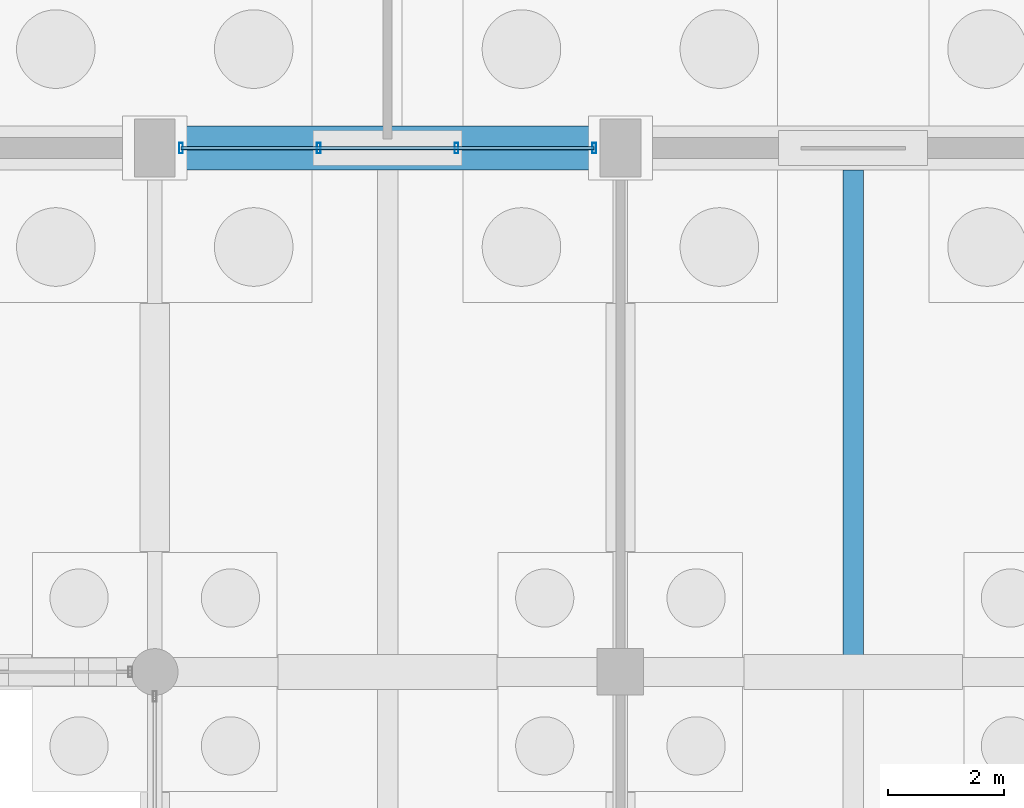
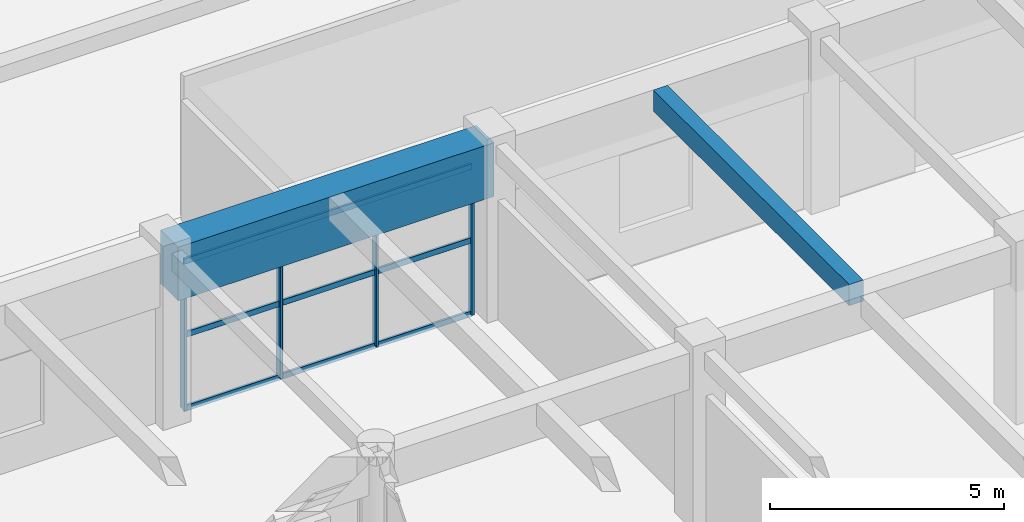
# One storey, part 81 of 147: 7 members, 2 beams, 1 element without a shape of its own.
"""IFC4 building model written with IfcOpenShell, lengths in metres."""

import ifcopenshell
import ifcopenshell.guid

model = None  # the IFC model being written
_history = None  # IfcOwnerHistory: only IFC2X3 demands one
_inside = {}  # id of a spatial element -> (the spatial element, [elements in it])
_under = {}  # id of a project, library or spatial element -> (it, [spatial elements below it])
_declared = {}  # id of a project -> (the project, [libraries it declares])
_typed = {}  # id of a type object -> (the type object, [elements of that type])
_made_of = {}  # id of a material, layer set ... -> (it, [elements and type objects made of it])


def new_model(schema):
    """Start an empty IFC model of exactly this schema.

    Asked for "IFC4X3", IfcOpenShell would pick the latest addendum, in which some entities
    have other attributes; the version numbers below select the first issue.
    IFC2X3 requires an IfcOwnerHistory on every rooted entity: one is made here for all.
    """
    global model, _history
    if schema == "IFC4X3":
        model = ifcopenshell.file(schema_version=(4, 3, 0, 0))
    else:
        model = ifcopenshell.file(schema=schema)
    _inside.clear()
    _under.clear()
    _declared.clear()
    _typed.clear()
    _made_of.clear()
    _history = None
    if model.schema == "IFC2X3":
        org = make("IfcOrganization", Name="unknown")
        user = make(
            "IfcPersonAndOrganization",
            ThePerson=make("IfcPerson", FamilyName="unknown"),
            TheOrganization=org,
        )
        app = make(
            "IfcApplication",
            ApplicationDeveloper=org,
            Version="unknown",
            ApplicationFullName="unknown",
            ApplicationIdentifier="unknown",
        )
        _history = make(
            "IfcOwnerHistory",
            OwningUser=user,
            OwningApplication=app,
            ChangeAction="ADDED",
            CreationDate=0,
        )
    return model


def make(cls, **values):
    """One entity of the class cls with the attributes given. An attribute that is None is left unset."""
    return model.create_entity(
        cls, **{name: value for name, value in values.items() if value is not None}
    )


def rooted(cls, **values):
    """An entity with a GlobalId (a new one), such as an element, a storey or a relation."""
    return make(cls, GlobalId=ifcopenshell.guid.new(), OwnerHistory=_history, **values)


def si_unit(unit_type, name, prefix=None):
    """IfcSIUnit, for example si_unit("LENGTHUNIT", "METRE", prefix="MILLI")."""
    return make("IfcSIUnit", UnitType=unit_type, Prefix=prefix, Name=name)


def assignment(units):
    """IfcUnitAssignment: the units of a project."""
    return None if units is None else make("IfcUnitAssignment", Units=units)


def point(xyz):
    """IfcCartesianPoint."""
    return None if xyz is None else make("IfcCartesianPoint", Coordinates=xyz)


def direction(xyz):
    """IfcDirection."""
    return None if xyz is None else make("IfcDirection", DirectionRatios=xyz)


def frame(location, z_axis=None, x_axis=None):
    """IfcAxis2Placement3D, a coordinate frame: its origin and axes. An axis left out is left unset."""
    return make(
        "IfcAxis2Placement3D",
        Location=point(location),
        Axis=direction(z_axis),
        RefDirection=direction(x_axis),
    )


def frame_2d(location, x_axis=None):
    """IfcAxis2Placement2D, a coordinate frame in the plane: its origin and x axis."""
    return make(
        "IfcAxis2Placement2D", Location=point(location), RefDirection=direction(x_axis)
    )


def origin():
    """The frame at (0, 0, 0) with its axes left unset."""
    return frame((0.0, 0.0, 0.0))


def origin_2d():
    """The frame at (0, 0) in the plane with its x axis left unset."""
    return frame_2d((0.0, 0.0))


def place(relative_to, where):
    """IfcLocalPlacement: puts the frame where relative to a parent placement (None: the world)."""
    return make(
        "IfcLocalPlacement", PlacementRelTo=relative_to, RelativePlacement=where
    )


def context(
    kind, dimensions, precision=None, world=None, true_north=None, identifier=None
):
    """IfcGeometricRepresentationContext, for example the 3D "Model" context."""
    return make(
        "IfcGeometricRepresentationContext",
        ContextIdentifier=identifier,
        ContextType=kind,
        CoordinateSpaceDimension=dimensions,
        Precision=precision,
        WorldCoordinateSystem=world,
        TrueNorth=true_north,
    )


def subcontext(parent, identifier, kind, view, scale=None):
    """IfcGeometricRepresentationSubContext, for example "Body" below "Model"."""
    return make(
        "IfcGeometricRepresentationSubContext",
        ContextIdentifier=identifier,
        ContextType=kind,
        ParentContext=parent,
        TargetScale=scale,
        TargetView=view,
    )


def project(units=None, contexts=None):
    """IfcProject with its units and contexts."""
    return rooted(
        "IfcProject",
        Name="project",
        RepresentationContexts=contexts,
        UnitsInContext=assignment(units),
    )


def spatial(cls, under=None, at=None, **own):
    """A site, building, storey or space (cls), placed at a placement, below another one or the project."""
    s = rooted(cls, ObjectPlacement=at, **own)
    if under is not None:
        _under.setdefault(under.id(), (under, []))[1].append(s)
    return s


def profile(cls, at=None, kind="AREA", **sizes):
    """A parametric profile (cls). Its sizes go by their IFC names, for example OverallWidth=200.0."""
    return make(cls, ProfileType=kind, Position=at, **sizes)


def rectangle(**sizes):
    """IfcRectangleProfileDef."""
    return profile("IfcRectangleProfileDef", **sizes)


def hollow_rectangle(**sizes):
    """IfcRectangleHollowProfileDef."""
    return profile("IfcRectangleHollowProfileDef", **sizes)


def extrude(swept, where, along, depth):
    """IfcExtrudedAreaSolid: the profile swept, set in the frame where, extruded along a direction by depth."""
    return make(
        "IfcExtrudedAreaSolid",
        SweptArea=swept,
        Position=where,
        ExtrudedDirection=direction(along),
        Depth=depth,
    )


def shape(context_of_items, identifier, shape_type, items):
    """IfcShapeRepresentation: the items that make up one representation, for example the "Body"."""
    return make(
        "IfcShapeRepresentation",
        ContextOfItems=context_of_items,
        RepresentationIdentifier=identifier,
        RepresentationType=shape_type,
        Items=items,
    )


def material(Name=None, Category=None):
    """IfcMaterial."""
    return make("IfcMaterial", Name=Name, Category=Category)


def material_profile(
    of_material, cross_section, Name=None, Category=None, Priority=None
):
    """IfcMaterialProfile: a cross section and its material."""
    return make(
        "IfcMaterialProfile",
        Name=Name,
        Material=of_material,
        Profile=cross_section,
        Priority=Priority,
        Category=Category,
    )


def profile_set(profiles, Name=None, composite=None):
    """IfcMaterialProfileSet."""
    return make(
        "IfcMaterialProfileSet",
        Name=Name,
        MaterialProfiles=profiles,
        CompositeProfile=composite,
    )


def made_of(thing, what):
    """Note that an element or type object is made of a material, layer set ...; save() writes the relation."""
    if what is not None:
        _made_of.setdefault(what.id(), (what, []))[1].append(thing)
    return thing


def type_object(cls, material=None, **own):
    """A type object (cls), such as IfcWallType, which elements share."""
    return made_of(rooted(cls, **own), material)


def element(
    cls,
    number,
    at=None,
    inside=None,
    cuts=None,
    type_object=None,
    material=None,
    context=None,
    identifier="Body",
    shape_type=None,
    held_by="IfcProductDefinitionShape",
    body=None,
    shapes=None,
    **own,
):
    """One element of the class cls, such as IfcWall. Its Tag is "e" and its number.

    at: its placement. inside: the storey or other place that contains it. cuts: it is an
    opening in that element (IfcRelVoidsElement). A single representation is given by context,
    identifier, shape_type and body (its items); several are given by shapes. held_by: the class
    of the entity that holds the representations. save() writes the other relations.
    """
    e = rooted(cls, Tag="e%d" % number, ObjectPlacement=at, **own)
    if body is not None:
        shapes = [shape(context, identifier, shape_type, body)]
    if shapes is not None:
        e.Representation = make(held_by, Representations=shapes)
    if inside is not None:
        _inside.setdefault(inside.id(), (inside, []))[1].append(e)
    if cuts is not None:
        rooted(
            "IfcRelVoidsElement", RelatingBuildingElement=cuts, RelatedOpeningElement=e
        )
    if type_object is not None:
        _typed.setdefault(type_object.id(), (type_object, []))[1].append(e)
    return made_of(e, material)


def aggregate(whole, parts):
    """IfcRelAggregates: a whole, such as a stair, and the parts it consists of."""
    return rooted("IfcRelAggregates", RelatingObject=whole, RelatedObjects=parts)


def save(model, path):
    """Write the relations noted so far, then the file.

    IfcRelAggregates (storeys below a building ...), IfcRelContainedInSpatialStructure (elements
    in a storey), IfcRelDefinesByType, IfcRelAssociatesMaterial and IfcRelDeclares: one each for
    every whole, place, type object, material and project.
    """
    for whole, parts in _under.values():
        aggregate(whole, parts)
    for where, things in _inside.values():
        rooted(
            "IfcRelContainedInSpatialStructure",
            RelatedElements=things,
            RelatingStructure=where,
        )
    for kind, things in _typed.values():
        rooted("IfcRelDefinesByType", RelatedObjects=things, RelatingType=kind)
    for what, things in _made_of.values():
        rooted("IfcRelAssociatesMaterial", RelatedObjects=things, RelatingMaterial=what)
    for by, libraries in _declared.values():
        rooted("IfcRelDeclares", RelatingContext=by, RelatedDefinitions=libraries)
    model.write(path)


model = new_model("IFC4")

# Units and contexts
model_context = context("Model", 3, precision=1e-05, world=origin(), true_north=direction((0.0, 1.0)))
body_context = subcontext(model_context, "Body", "Model", "MODEL_VIEW")
ifc_project = project(units=[si_unit("LENGTHUNIT", "METRE"), si_unit("AREAUNIT", "SQUARE_METRE"), si_unit("VOLUMEUNIT", "CUBIC_METRE"), si_unit("PLANEANGLEUNIT", "RADIAN"), si_unit("MASSUNIT", "GRAM", prefix="KILO")], contexts=[model_context])

# Site, building, storey
site_placement = place(None, origin())
site = spatial("IfcSite", under=ifc_project, at=site_placement, CompositionType="ELEMENT")
building_placement = place(site_placement, origin())
building = spatial("IfcBuilding", under=site, at=building_placement, Name="Varnabhumi Central Station", CompositionType="ELEMENT")
storey_placement = place(building_placement, origin())
storey = spatial("IfcBuildingStorey", under=building, at=storey_placement, Name="L00", CompositionType="ELEMENT", Elevation=0.0)

# Beams
ifc_material_1 = material(Name="Concrete M50", Category="concrete")
ifc_material_profile_1 = material_profile(ifc_material_1, rectangle(XDim=0.75, YDim=1.39990234375, at=origin_2d()), Name="Concrete M50", Category="concrete")
ifc_profile_set_1 = profile_set([ifc_material_profile_1], Name="Concrete M50")
beam_type_1 = type_object("IfcBeamType", Name="BM-RC-1400x750", PredefinedType="BEAM", material=ifc_profile_set_1)
beam_1_placement = place(storey_placement, frame((144.10009765625, 36.0, 3.85009765625), z_axis=(1.0, 0.0, 0.0), x_axis=(0.0, 1.0, 0.0)))
element("IfcBeam", 1, at=beam_1_placement, inside=storey, type_object=beam_type_1, Name="Beam L00-E:19-20", PredefinedType="BEAM", context=body_context, shape_type="SweptSolid", body=[
    extrude(rectangle(XDim=0.75, YDim=1.39990234375, at=origin_2d()), origin(), (0.0, 0.0, 1.0), 7.7998046875),
])
ifc_material_2 = material(Name="Concrete M40", Category="concrete")
ifc_material_profile_2 = material_profile(ifc_material_2, rectangle(XDim=0.35009765625, YDim=0.550048828125, at=origin_2d()), Name="Concrete M40", Category="concrete")
ifc_profile_set_2 = profile_set([ifc_material_profile_2], Name="Concrete M40")
beam_type_2 = type_object("IfcBeamType", Name="BM-RC-350x550", PredefinedType="JOIST", material=ifc_profile_set_2)
beam_2_placement = place(storey_placement, frame((156.0, 27.25, 4.27490234375), z_axis=(0.0, 1.0, 0.0), x_axis=(-1.0, 0.0, 0.0)))
element("IfcBeam", 2, at=beam_2_placement, inside=storey, type_object=beam_type_2, Name="Secondary Joist L00-20/21:D-E", PredefinedType="JOIST", context=body_context, shape_type="SweptSolid", body=[
    extrude(rectangle(XDim=0.35009765625, YDim=0.550048828125, at=origin_2d()), origin(), (0.0, 0.0, 1.0), 8.375),
])

# Curtain wall, members
ifc_material_3 = material(Name="Anodised aluminium 6063-T6", Category="aluminium")
curtain_wall_type = type_object("IfcCurtainWallType", Name="CW-SPINE-SCREEN-L0", PredefinedType="NOTDEFINED", material=ifc_material_3)
curtain_wall_placement = place(storey_placement, origin())
curtain_wall = element("IfcCurtainWall", 3, at=curtain_wall_placement, inside=storey, type_object=curtain_wall_type, Name="Curtain Wall CW-SS018", PredefinedType="NOTDEFINED")
ifc_material_profile_3 = material_profile(ifc_material_3, hollow_rectangle(XDim=0.06494140625, YDim=0.179931640625, WallThickness=0.00390625, InnerFilletRadius=0.001953125, OuterFilletRadius=0.006103515625, at=origin_2d()), Name="Anodised aluminium 6063-T6", Category="aluminium")
ifc_profile_set_3 = profile_set([ifc_material_profile_3], Name="Anodised aluminium 6063-T6")
member_type_1 = type_object("IfcMemberType", Name="CW-MUL-180", PredefinedType="MULLION", material=ifc_profile_set_3)
member_1_placement = place(storey_placement, frame((144.449951171875, 36.0, 0.0), z_axis=(0.0, 0.0, 1.0), x_axis=(1.0, 0.0, 0.0)))
member_1 = element("IfcMember", 4, at=member_1_placement, type_object=member_type_1, Name="Curtain Wall Mullion CW-SS018-M1", PredefinedType="MULLION", context=body_context, shape_type="SweptSolid", body=[
    extrude(hollow_rectangle(XDim=0.06494140625, YDim=0.179931640625, WallThickness=0.00390625, InnerFilletRadius=0.001953125, OuterFilletRadius=0.006103515625, at=origin_2d()), origin(), (0.0, 0.0, 1.0), 3.840087890625),
])
member_2_placement = place(storey_placement, frame((146.816650390625, 36.0, 0.0), z_axis=(0.0, 0.0, 1.0), x_axis=(1.0, 0.0, 0.0)))
member_2 = element("IfcMember", 5, at=member_2_placement, type_object=member_type_1, Name="Curtain Wall Mullion CW-SS018-M2", PredefinedType="MULLION", context=body_context, shape_type="SweptSolid", body=[
    extrude(hollow_rectangle(XDim=0.06494140625, YDim=0.179931640625, WallThickness=0.00390625, InnerFilletRadius=0.001953125, OuterFilletRadius=0.006103515625, at=origin_2d()), origin(), (0.0, 0.0, 1.0), 3.840087890625),
])
member_3_placement = place(storey_placement, frame((149.183349609375, 36.0, 0.0), z_axis=(0.0, 0.0, 1.0), x_axis=(1.0, 0.0, 0.0)))
member_3 = element("IfcMember", 6, at=member_3_placement, type_object=member_type_1, Name="Curtain Wall Mullion CW-SS018-M3", PredefinedType="MULLION", context=body_context, shape_type="SweptSolid", body=[
    extrude(hollow_rectangle(XDim=0.06494140625, YDim=0.179931640625, WallThickness=0.00390625, InnerFilletRadius=0.001953125, OuterFilletRadius=0.006103515625, at=origin_2d()), origin(), (0.0, 0.0, 1.0), 3.840087890625),
])
member_4_placement = place(storey_placement, frame((151.550048828125, 36.0, 0.0), z_axis=(0.0, 0.0, 1.0), x_axis=(1.0, 0.0, 0.0)))
member_4 = element("IfcMember", 7, at=member_4_placement, type_object=member_type_1, Name="Curtain Wall Mullion CW-SS018-M4", PredefinedType="MULLION", context=body_context, shape_type="SweptSolid", body=[
    extrude(hollow_rectangle(XDim=0.06494140625, YDim=0.179931640625, WallThickness=0.00390625, InnerFilletRadius=0.001953125, OuterFilletRadius=0.006103515625, at=origin_2d()), origin(), (0.0, 0.0, 1.0), 3.840087890625),
])
ifc_material_profile_4 = material_profile(ifc_material_3, hollow_rectangle(XDim=0.06005859375, YDim=0.14990234375, WallThickness=0.00390625, InnerFilletRadius=0.001953125, OuterFilletRadius=0.006103515625, at=origin_2d()), Name="Anodised aluminium 6063-T6", Category="aluminium")
ifc_profile_set_4 = profile_set([ifc_material_profile_4], Name="Anodised aluminium 6063-T6")
member_type_2 = type_object("IfcMemberType", Name="CW-TR-150", PredefinedType="USERDEFINED", material=ifc_profile_set_4)
member_5_placement = place(storey_placement, frame((144.449951171875, 36.0, 0.0), z_axis=(1.0, 0.0, 0.0), x_axis=(0.0, 1.0, 0.0)))
member_5 = element("IfcMember", 8, at=member_5_placement, type_object=member_type_2, Name="Curtain Wall Transom CW-SS018-T1", ObjectType="TRANSOM", PredefinedType="USERDEFINED", context=body_context, shape_type="SweptSolid", body=[
    extrude(hollow_rectangle(XDim=0.06005859375, YDim=0.14990234375, WallThickness=0.00390625, InnerFilletRadius=0.001953125, OuterFilletRadius=0.006103515625, at=origin_2d()), origin(), (0.0, 0.0, 1.0), 7.10009765625),
])
member_6_placement = place(storey_placement, frame((144.449951171875, 36.0, 1.919921875), z_axis=(1.0, 0.0, 0.0), x_axis=(0.0, 1.0, 0.0)))
member_6 = element("IfcMember", 9, at=member_6_placement, type_object=member_type_2, Name="Curtain Wall Transom CW-SS018-T2", ObjectType="TRANSOM", PredefinedType="USERDEFINED", context=body_context, shape_type="SweptSolid", body=[
    extrude(hollow_rectangle(XDim=0.06005859375, YDim=0.14990234375, WallThickness=0.00390625, InnerFilletRadius=0.001953125, OuterFilletRadius=0.006103515625, at=origin_2d()), origin(), (0.0, 0.0, 1.0), 7.10009765625),
])
member_7_placement = place(storey_placement, frame((144.449951171875, 36.0, 3.840087890625), z_axis=(1.0, 0.0, 0.0), x_axis=(0.0, 1.0, 0.0)))
member_7 = element("IfcMember", 10, at=member_7_placement, type_object=member_type_2, Name="Curtain Wall Transom CW-SS018-T3", ObjectType="TRANSOM", PredefinedType="USERDEFINED", context=body_context, shape_type="SweptSolid", body=[
    extrude(hollow_rectangle(XDim=0.06005859375, YDim=0.14990234375, WallThickness=0.00390625, InnerFilletRadius=0.001953125, OuterFilletRadius=0.006103515625, at=origin_2d()), origin(), (0.0, 0.0, 1.0), 7.10009765625),
])
aggregate(curtain_wall, [member_1, member_2, member_3, member_4, member_5, member_6, member_7])

save(model, "model.ifc")
